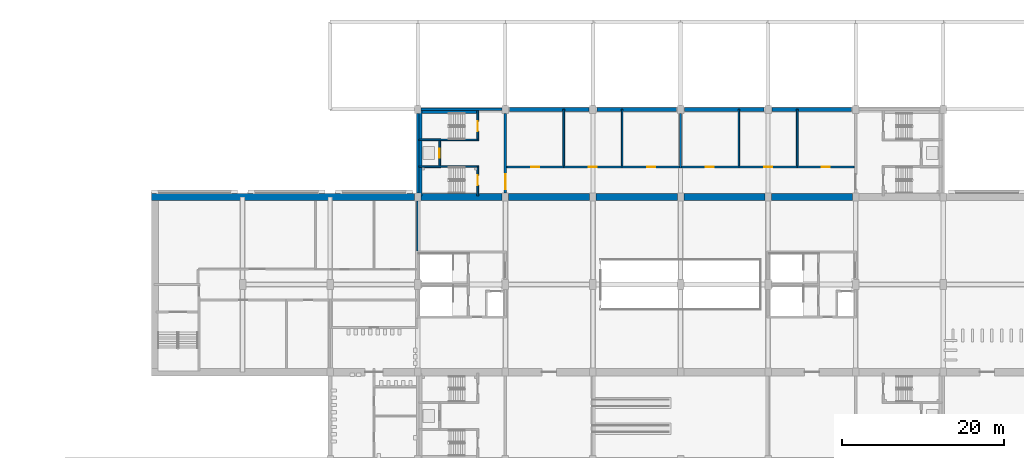
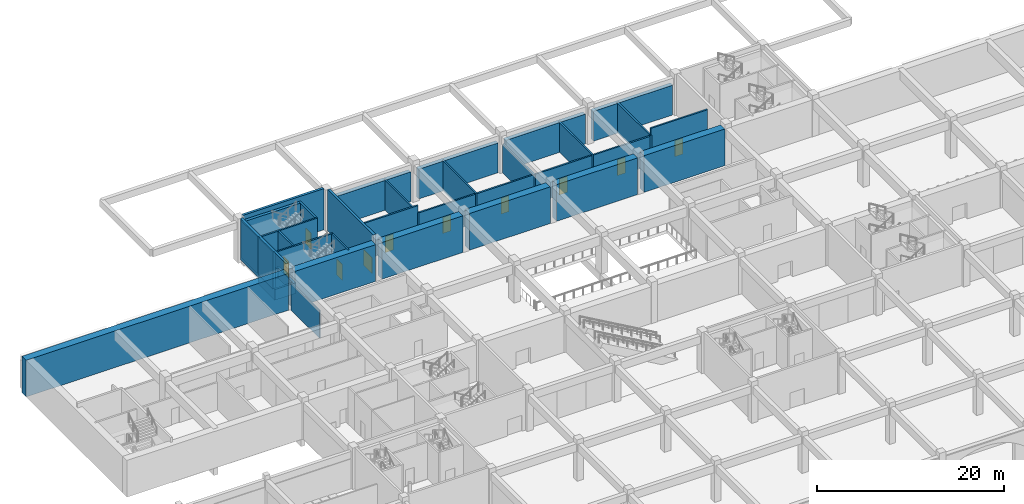
# One storey, part 31 of 101: 35 walls, 10 doors, 10 openings.
"""IFC4 building model written with IfcOpenShell, lengths in metres."""

from ifc_helpers import new_model, si_unit, direction, frame, frame_2d, origin, place, context, subcontext, project, spatial, polyline, rectangle, outline, extrude, material, layer, layer_set, type_object, element, fill, save


model = new_model("IFC4")

# Units and contexts
model_context = context("Model", 3, precision=1e-05, world=origin(), true_north=direction((0.0, 1.0)))
body_context = subcontext(model_context, "Body", "Model", "MODEL_VIEW")
ifc_project = project(units=[si_unit("LENGTHUNIT", "METRE"), si_unit("AREAUNIT", "SQUARE_METRE"), si_unit("VOLUMEUNIT", "CUBIC_METRE"), si_unit("PLANEANGLEUNIT", "RADIAN"), si_unit("MASSUNIT", "GRAM", prefix="KILO")], contexts=[model_context])

# Site, building, storey
site_placement = place(None, origin())
site = spatial("IfcSite", under=ifc_project, at=site_placement, CompositionType="ELEMENT")
building_placement = place(site_placement, origin())
building = spatial("IfcBuilding", under=site, at=building_placement, Name="Magnolia Steps Interchange", CompositionType="ELEMENT")
storey_placement = place(building_placement, frame((0.0, 0.0, -5.39990234375)))
storey = spatial("IfcBuildingStorey", under=building, at=storey_placement, Name="B1", CompositionType="ELEMENT", Elevation=-5.39990234375)

# Walls
ifc_material_1 = material(Name="Concrete C40", Category="concrete")
ifc_layer_1 = layer(ifc_material_1, 0.5)
ifc_layer_set_1 = layer_set([ifc_layer_1], Name="Concrete C40 plinth retaining wall 500")
wall_type_1 = type_object("IfcWallType", Name="Concrete C40 plinth retaining wall 500", PredefinedType="SOLIDWALL", material=ifc_layer_set_1)
for number, where, z_axis, x_axis, name in (
    (1, (64.5, 85.60009765625, 0.0), (0.0, 0.0, 1.0), (1.0, 0.0, 0.0), "Plant gallery north retaining wall"),
    (2, (75.300048828125, 85.60009765625, 0.0), (0.0, 0.0, 1.0), (1.0, 0.0, 0.0), "Plant gallery north retaining wall"),
):
    element("IfcWall", number, at=place(storey_placement, frame(where, z_axis=z_axis, x_axis=x_axis)), inside=storey, type_object=wall_type_1, Name=name, PredefinedType="SOLIDWALL", context=body_context, shape_type="SweptSolid", body=[
        extrude(rectangle(XDim=9.800048828125, YDim=0.5, at=frame_2d((4.89990234375, 0.0))), origin(), (0.0, 0.0, 1.0), 3.89990234375),
    ])
wall_1_placement = place(storey_placement, frame((86.10009765625, 85.60009765625, 0.0), z_axis=(0.0, 0.0, 1.0), x_axis=(1.0, 0.0, 0.0)))
element("IfcWall", 3, at=wall_1_placement, inside=storey, type_object=wall_type_1, Name="Plant gallery north retaining wall", PredefinedType="SOLIDWALL", context=body_context, shape_type="SweptSolid", body=[
    extrude(rectangle(XDim=9.7998046875, YDim=0.5, at=frame_2d((4.89990234375, 0.0))), origin(), (0.0, 0.0, 1.0), 3.89990234375),
])
wall_2_placement = place(storey_placement, frame((96.89990234375, 85.60009765625, 0.0), z_axis=(0.0, 0.0, 1.0), x_axis=(1.0, 0.0, 0.0)))
element("IfcWall", 4, at=wall_2_placement, inside=storey, type_object=wall_type_1, Name="Plant gallery north retaining wall", PredefinedType="SOLIDWALL", context=body_context, shape_type="SweptSolid", body=[
    extrude(rectangle(XDim=9.800048828125, YDim=0.5, at=frame_2d((4.89990234375, 0.0))), origin(), (0.0, 0.0, 1.0), 3.89990234375),
])

# Wall, opening, door
ifc_material_2 = material(Name="Concrete C35", Category="concrete")
ifc_layer_2 = layer(ifc_material_2, 0.199951171875)
ifc_layer_set_2 = layer_set([ifc_layer_2], Name="Core enclosure wall 200")
wall_type_2 = type_object("IfcWallType", Name="Core enclosure wall 200", PredefinedType="SOLIDWALL", material=ifc_layer_set_2)
wall_3_placement = place(storey_placement, frame((60.60009765625, 74.949951171875, 0.0), z_axis=(0.0, 0.0, 1.0), x_axis=(0.0, 1.0, 0.0)))
wall_3 = element("IfcWall", 5, at=wall_3_placement, inside=storey, type_object=wall_type_2, Name="B1 HC1 enclosure wall", PredefinedType="SOLIDWALL", context=body_context, shape_type="SweptSolid", body=[
    extrude(rectangle(XDim=3.5, YDim=0.199951171875, at=frame_2d((1.75, 0.0))), origin(), (0.0, 0.0, 1.0), 4.7998046875),
])
opening_1_placement = place(wall_3_placement, frame((1.324951171875, 0.0, 0.0)))
opening_1 = element("IfcOpeningElement", 6, at=opening_1_placement, cuts=wall_3, Name="Opening D-HC1-B1-1", PredefinedType="OPENING", context=body_context, shape_type="SweptSolid", body=[
    extrude(rectangle(XDim=1.199951171875, YDim=2.10009765625, at=frame_2d((0.60009765625, 1.050048828125))), frame((0.0, 0.10986328125, 0.0), z_axis=(0.0, -1.0, 0.0), x_axis=(1.0, 0.0, 0.0)), (0.0, 0.0, 1.0), 0.219970703125),
])
ifc_material_3 = material(Name="Painted steel", Category="steel")
door_type_1 = type_object("IfcDoorType", Name="Stair fire door 1200x2100", OperationType="NOTDEFINED", PredefinedType="DOOR", material=ifc_material_3)
door_1_placement = place(opening_1_placement, frame((1.199951171875, 0.0, 0.0), z_axis=(0.0, 0.0, 1.0), x_axis=(-1.0, 0.0, 0.0)))
door_1 = element("IfcDoor", 7, at=door_1_placement, inside=storey, type_object=door_type_1, Name="Stair door ST1 B1", OperationType="SINGLE_SWING_LEFT", OverallHeight=2.10009765625, OverallWidth=1.199951171875, PredefinedType="DOOR", context=body_context, shape_type="SweptSolid", body=[
    extrude(rectangle(XDim=1.199951171875, YDim=2.10009765625, at=frame_2d((0.60009765625, 1.050048828125))), frame((0.0, 0.02490234375, 0.0), z_axis=(0.0, -1.0, 0.0), x_axis=(1.0, 0.0, 0.0)), (0.0, 0.0, 1.0), 0.050048828125),
])
fill(opening_1, door_1)

# Wall
wall_4_placement = place(storey_placement, frame((60.699951171875, 78.550048828125, 0.0), z_axis=(0.0, 0.0, 1.0), x_axis=(-1.0, 0.0, 0.0)))
element("IfcWall", 8, at=wall_4_placement, inside=storey, type_object=wall_type_2, Name="B1 HC1 enclosure wall", PredefinedType="SOLIDWALL", context=body_context, shape_type="SweptSolid", body=[
    extrude(rectangle(XDim=7.349853515625, YDim=0.199951171875, at=frame_2d((3.6748046875, 0.0))), origin(), (0.0, 0.0, 1.0), 4.7998046875),
])

# Wall, opening, door
wall_5_placement = place(storey_placement, frame((55.89990234375, 78.64990234375, 0.0), z_axis=(0.0, 0.0, 1.0), x_axis=(0.0, 1.0, 0.0)))
wall_5 = element("IfcWall", 9, at=wall_5_placement, inside=storey, type_object=wall_type_2, Name="B1 HC1 enclosure wall", PredefinedType="SOLIDWALL", context=body_context, shape_type="SweptSolid", body=[
    extrude(rectangle(XDim=3.10009765625, YDim=0.199951171875, at=frame_2d((1.550048828125, 0.0))), origin(), (0.0, 0.0, 1.0), 4.7998046875),
])
opening_2_placement = place(wall_5_placement, frame((1.0, 0.0, 0.0)))
opening_2 = element("IfcOpeningElement", 10, at=opening_2_placement, cuts=wall_5, Name="Opening LD", PredefinedType="OPENING", context=body_context, shape_type="SweptSolid", body=[
    extrude(rectangle(XDim=1.10009765625, YDim=2.10009765625, at=frame_2d((0.550048828125, 1.050048828125))), frame((0.0, 0.10986328125, 0.0), z_axis=(0.0, -1.0, 0.0), x_axis=(1.0, 0.0, 0.0)), (0.0, 0.0, 1.0), 0.219970703125),
])
ifc_material_4 = material(Name="Stainless steel grade 304", Category="steel")
door_type_2 = type_object("IfcDoorType", Name="Lift landing door 1100x2100", OperationType="DOUBLE_DOOR_SLIDING", PredefinedType="DOOR", material=ifc_material_4)
door_2_placement = place(opening_2_placement, frame((1.10009765625, 0.0, 0.0), z_axis=(0.0, 0.0, 1.0), x_axis=(-1.0, 0.0, 0.0)))
door_2 = element("IfcDoor", 11, at=door_2_placement, inside=storey, type_object=door_type_2, Name="Lift landing door LF1 B1", OperationType="DOUBLE_DOOR_SLIDING", OverallHeight=2.10009765625, OverallWidth=1.10009765625, PredefinedType="DOOR", context=body_context, shape_type="SweptSolid", body=[
    extrude(rectangle(XDim=1.10009765625, YDim=2.10009765625, at=frame_2d((0.550048828125, 1.050048828125))), frame((0.0, 0.02490234375, 0.0), z_axis=(0.0, -1.0, 0.0), x_axis=(1.0, 0.0, 0.0)), (0.0, 0.0, 1.0), 0.050048828125),
])
fill(opening_2, door_2)

# Wall
wall_6_placement = place(storey_placement, frame((60.699951171875, 81.85009765625, 0.0), z_axis=(0.0, 0.0, 1.0), x_axis=(-1.0, 0.0, 0.0)))
element("IfcWall", 12, at=wall_6_placement, inside=storey, type_object=wall_type_2, Name="B1 HC1 enclosure wall", PredefinedType="SOLIDWALL", context=body_context, shape_type="SweptSolid", body=[
    extrude(rectangle(XDim=7.349853515625, YDim=0.199951171875, at=frame_2d((3.6748046875, 0.0))), origin(), (0.0, 0.0, 1.0), 4.7998046875),
])

# Wall, opening, door
wall_7_placement = place(storey_placement, frame((60.60009765625, 81.949951171875, 0.0), z_axis=(0.0, 0.0, 1.0), x_axis=(0.0, 1.0, 0.0)))
wall_7 = element("IfcWall", 13, at=wall_7_placement, inside=storey, type_object=wall_type_2, Name="B1 HC1 enclosure wall", PredefinedType="SOLIDWALL", context=body_context, shape_type="SweptSolid", body=[
    extrude(rectangle(XDim=3.5, YDim=0.199951171875, at=frame_2d((1.75, 0.0))), origin(), (0.0, 0.0, 1.0), 4.7998046875),
])
opening_3_placement = place(wall_7_placement, frame((0.97509765625, 0.0, 0.0)))
opening_3 = element("IfcOpeningElement", 14, at=opening_3_placement, cuts=wall_7, Name="Opening D-HC1-B1-2", PredefinedType="OPENING", context=body_context, shape_type="SweptSolid", body=[
    extrude(rectangle(XDim=1.199951171875, YDim=2.10009765625, at=frame_2d((0.60009765625, 1.050048828125))), frame((0.0, 0.10986328125, 0.0), z_axis=(0.0, -1.0, 0.0), x_axis=(1.0, 0.0, 0.0)), (0.0, 0.0, 1.0), 0.219970703125),
])
door_3_placement = place(opening_3_placement, frame((1.199951171875, 0.0, 0.0), z_axis=(0.0, 0.0, 1.0), x_axis=(-1.0, 0.0, 0.0)))
door_3 = element("IfcDoor", 15, at=door_3_placement, inside=storey, type_object=door_type_1, Name="Stair door ST2 B1", OperationType="SINGLE_SWING_RIGHT", OverallHeight=2.10009765625, OverallWidth=1.199951171875, PredefinedType="DOOR", context=body_context, shape_type="SweptSolid", body=[
    extrude(rectangle(XDim=1.199951171875, YDim=2.10009765625, at=frame_2d((0.60009765625, 1.050048828125))), frame((0.0, 0.02490234375, 0.0), z_axis=(0.0, -1.0, 0.0), x_axis=(1.0, 0.0, 0.0)), (0.0, 0.0, 1.0), 0.050048828125),
])
fill(opening_3, door_3)

# Walls
ifc_material_5 = material(Name="Concrete C35", Category="concrete")
ifc_layer_3 = layer(ifc_material_5, 0.35009765625)
ifc_layer_set_3 = layer_set([ifc_layer_3], Name="Core lining wall 350")
wall_type_3 = type_object("IfcWallType", Name="Core lining wall 350", PredefinedType="SOLIDWALL", material=ifc_layer_set_3)
wall_8_placement = place(storey_placement, frame((53.52490234375, 74.949951171875, 0.0), z_axis=(0.0, 0.0, 1.0), x_axis=(0.0, 1.0, 0.0)))
element("IfcWall", 16, at=wall_8_placement, inside=storey, type_object=wall_type_3, Name="B1 HC1 stair lining wall", PredefinedType="SOLIDWALL", context=body_context, shape_type="SweptSolid", body=[
    extrude(rectangle(XDim=3.5, YDim=0.35009765625, at=frame_2d((1.75, 0.0))), origin(), (0.0, 0.0, 1.0), 4.7998046875),
])
wall_9_placement = place(storey_placement, frame((60.699951171875, 85.27490234375, 0.0), z_axis=(0.0, 0.0, 1.0), x_axis=(-1.0, 0.0, 0.0)))
element("IfcWall", 17, at=wall_9_placement, inside=storey, type_object=wall_type_3, Name="B1 HC1 stair lining wall", PredefinedType="SOLIDWALL", context=body_context, shape_type="SweptSolid", body=[
    extrude(rectangle(XDim=7.349853515625, YDim=0.35009765625, at=frame_2d((3.6748046875, 0.0))), origin(), (0.0, 0.0, 1.0), 4.7998046875),
])
wall_10_placement = place(storey_placement, frame((53.52490234375, 81.949951171875, 0.0), z_axis=(0.0, 0.0, 1.0), x_axis=(0.0, 1.0, 0.0)))
element("IfcWall", 18, at=wall_10_placement, inside=storey, type_object=wall_type_3, Name="B1 HC1 stair lining wall", PredefinedType="SOLIDWALL", context=body_context, shape_type="SweptSolid", body=[
    extrude(rectangle(XDim=3.5, YDim=0.35009765625, at=frame_2d((1.75, 0.0))), origin(), (0.0, 0.0, 1.0), 4.7998046875),
])
wall_11_placement = place(storey_placement, frame((53.52490234375, 78.64990234375, 0.0), z_axis=(0.0, 0.0, 1.0), x_axis=(0.0, 1.0, 0.0)))
element("IfcWall", 19, at=wall_11_placement, inside=storey, type_object=wall_type_3, Name="B1 HC1 stair lining wall", PredefinedType="SOLIDWALL", context=body_context, shape_type="SweptSolid", body=[
    extrude(rectangle(XDim=3.10009765625, YDim=0.35009765625, at=frame_2d((1.550048828125, 0.0))), origin(), (0.0, 0.0, 1.0), 4.7998046875),
])

# Wall, opening, door
ifc_material_6 = material(Name="Concrete C40", Category="concrete")
ifc_layer_4 = layer(ifc_material_6, 0.300048828125)
ifc_layer_set_4 = layer_set([ifc_layer_4], Name="Core wall 300")
wall_type_4 = type_object("IfcWallType", Name="Core wall 300", PredefinedType="SOLIDWALL", material=ifc_layer_set_4)
wall_12_placement = place(storey_placement, frame((64.0, 75.300048828125, 0.0), z_axis=(0.0, 0.0, 1.0), x_axis=(0.0, 1.0, 0.0)))
wall_12 = element("IfcWall", 20, at=wall_12_placement, inside=storey, type_object=wall_type_4, Name="Core wall HC1", PredefinedType="SOLIDWALL", context=body_context, shape_type="SweptSolid", body=[
    extrude(rectangle(XDim=9.800048828125, YDim=0.300048828125, at=frame_2d((4.89990234375, 0.0))), origin(), (0.0, 0.0, 1.0), 5.39990234375),
])
opening_4_placement = place(wall_12_placement, frame((0.47509765625, 0.0, 0.0)))
opening_4 = element("IfcOpeningElement", 21, at=opening_4_placement, cuts=wall_12, Name="Opening D-HC1-B1-3", PredefinedType="OPENING", context=body_context, shape_type="SweptSolid", body=[
    extrude(rectangle(XDim=1.800048828125, YDim=2.10009765625, at=frame_2d((0.89990234375, 1.050048828125))), frame((0.0, 0.159912109375, 0.0), z_axis=(0.0, -1.0, 0.0), x_axis=(1.0, 0.0, 0.0)), (0.0, 0.0, 1.0), 0.320068359375),
])
ifc_material_7 = material(Name="Timber and glass", Category="wood")
door_type_3 = type_object("IfcDoorType", Name="Core entrance door pair 1800x2100", OperationType="DOUBLE_DOOR_DOUBLE_SWING", PredefinedType="DOOR", material=ifc_material_7)
door_4_placement = place(opening_4_placement, frame((1.800048828125, 0.0, 0.0), z_axis=(0.0, 0.0, 1.0), x_axis=(-1.0, 0.0, 0.0)))
door_4 = element("IfcDoor", 22, at=door_4_placement, inside=storey, type_object=door_type_3, Name="Core entrance door HC1 B1", OperationType="DOUBLE_DOOR_DOUBLE_SWING", OverallHeight=2.10009765625, OverallWidth=1.800048828125, PredefinedType="DOOR", context=body_context, shape_type="SweptSolid", body=[
    extrude(rectangle(XDim=1.800048828125, YDim=2.10009765625, at=frame_2d((0.89990234375, 1.050048828125))), frame((0.0, 0.02490234375, 0.0), z_axis=(0.0, -1.0, 0.0), x_axis=(1.0, 0.0, 0.0)), (0.0, 0.0, 1.0), 0.050048828125),
])
fill(opening_4, door_4)

# Walls
wall_13_placement = place(storey_placement, frame((63.60009765625, 85.60009765625, 0.0), z_axis=(0.0, 0.0, 1.0), x_axis=(-1.0, 0.0, 0.0)))
element("IfcWall", 23, at=wall_13_placement, inside=storey, type_object=wall_type_4, Name="Core wall HC1", PredefinedType="SOLIDWALL", context=body_context, shape_type="SweptSolid", body=[
    extrude(rectangle(XDim=10.0, YDim=0.300048828125, at=frame_2d((5.0, 0.0))), origin(), (0.0, 0.0, 1.0), 5.39990234375),
])
wall_14_placement = place(storey_placement, frame((53.199951171875, 85.10009765625, 0.0), z_axis=(0.0, 0.0, 1.0), x_axis=(0.0, -1.0, 0.0)))
element("IfcWall", 24, at=wall_14_placement, inside=storey, type_object=wall_type_4, Name="Core wall HC1", PredefinedType="SOLIDWALL", context=body_context, shape_type="SweptSolid", body=[
    extrude(rectangle(XDim=9.800048828125, YDim=0.300048828125, at=frame_2d((4.89990234375, 0.0))), origin(), (0.0, 0.0, 1.0), 5.39990234375),
])
ifc_material_8 = material(Name="Concrete C40", Category="concrete")
ifc_layer_5 = layer(ifc_material_8, 0.89990234375)
ifc_layer_set_5 = layer_set([ifc_layer_5], Name="Diaphragm wall 900")
wall_type_5 = type_object("IfcWallType", Name="Diaphragm wall 900", PredefinedType="SOLIDWALL", material=ifc_layer_set_5)
for number, where, z_axis, x_axis, name in (
    (25, (106.800048828125, 74.800048828125, 0.0), (0.0, 0.0, 1.0), (-1.0, 0.0, 0.0), "Metro box wall N"),
    (26, (96.0, 74.800048828125, 0.0), (0.0, 0.0, 1.0), (-1.0, 0.0, 0.0), "Metro box wall N"),
    (27, (85.199951171875, 74.800048828125, 0.0), (0.0, 0.0, 1.0), (-1.0, 0.0, 0.0), "Metro box wall N"),
    (28, (74.39990234375, 74.800048828125, 0.0), (0.0, 0.0, 1.0), (-1.0, 0.0, 0.0), "Metro box wall N"),
    (29, (63.60009765625, 74.800048828125, 0.0), (0.0, 0.0, 1.0), (-1.0, 0.0, 0.0), "Metro box wall N"),
):
    element("IfcWall", number, at=place(storey_placement, frame(where, z_axis=z_axis, x_axis=x_axis)), inside=storey, type_object=wall_type_5, Name=name, PredefinedType="SOLIDWALL", context=body_context, shape_type="SweptSolid", body=[
        extrude(rectangle(XDim=10.0, YDim=0.89990234375, at=frame_2d((5.0, 0.0))), origin(), (0.0, 0.0, 1.0), 4.7998046875),
    ])
wall_15_placement = place(storey_placement, frame((52.800048828125, 74.800048828125, 0.0), z_axis=(0.0, 0.0, 1.0), x_axis=(-1.0, 0.0, 0.0)))
element("IfcWall", 30, at=wall_15_placement, inside=storey, type_object=wall_type_5, Name="Metro box wall N", PredefinedType="SOLIDWALL", context=body_context, shape_type="SweptSolid", body=[
    extrude(rectangle(XDim=32.449951171875, YDim=0.89990234375, at=frame_2d((16.22509765625, 0.0))), origin(), (0.0, 0.0, 1.0), 4.7998046875),
])

# Wall, opening, door
ifc_material_9 = material(Name="Fair-faced blockwork", Category="masonry")
ifc_layer_6 = layer(ifc_material_9, 0.199951171875)
ifc_layer_set_6 = layer_set([ifc_layer_6], Name="Fire partition wall 200")
wall_type_6 = type_object("IfcWallType", Name="Fire partition wall 200", PredefinedType="PARTITIONING", material=ifc_layer_set_6)
wall_16_placement = place(storey_placement, frame((85.60009765625, 78.5, 0.0), z_axis=(0.0, 0.0, 1.0), x_axis=(1.0, 0.0, 0.0)))
wall_16 = element("IfcWall", 31, at=wall_16_placement, inside=storey, type_object=wall_type_6, Name="B1 partition 46", PredefinedType="PARTITIONING", context=body_context, shape_type="SweptSolid", body=[
    extrude(rectangle(XDim=7.199951171875, YDim=0.199951171875, at=frame_2d((3.60009765625, 0.0))), origin(), (0.0, 0.0, 1.0), 3.7998046875),
])
opening_5_placement = place(wall_16_placement, frame((3.10009765625, 0.0, 0.0)))
opening_5 = element("IfcOpeningElement", 32, at=opening_5_placement, cuts=wall_16, Name="Opening D-B1-23", PredefinedType="OPENING", context=body_context, shape_type="SweptSolid", body=[
    extrude(rectangle(XDim=1.0, YDim=2.10009765625, at=frame_2d((0.5, 1.050048828125))), frame((0.0, 0.10986328125, 0.0), z_axis=(0.0, -1.0, 0.0), x_axis=(1.0, 0.0, 0.0)), (0.0, 0.0, 1.0), 0.219970703125),
])
ifc_material_10 = material(Name="Painted steel", Category="steel")
door_type_4 = type_object("IfcDoorType", Name="Plant room door 1000x2100", OperationType="NOTDEFINED", PredefinedType="DOOR", material=ifc_material_10)
door_5_placement = place(opening_5_placement, origin())
door_5 = element("IfcDoor", 33, at=door_5_placement, inside=storey, type_object=door_type_4, Name="Fire Pump Room door", OperationType="SINGLE_SWING_LEFT", OverallHeight=2.10009765625, OverallWidth=1.0, PredefinedType="DOOR", context=body_context, shape_type="SweptSolid", body=[
    extrude(rectangle(XDim=1.0, YDim=2.10009765625, at=frame_2d((0.5, 1.050048828125))), frame((0.0, 0.02490234375, 0.0), z_axis=(0.0, -1.0, 0.0), x_axis=(1.0, 0.0, 0.0)), (0.0, 0.0, 1.0), 0.050048828125),
])
fill(opening_5, door_5)

wall_17_placement = place(storey_placement, frame((92.800048828125, 78.5, 0.0), z_axis=(0.0, 0.0, 1.0), x_axis=(1.0, 0.0, 0.0)))
wall_17 = element("IfcWall", 34, at=wall_17_placement, inside=storey, type_object=wall_type_6, Name="B1 partition 47", PredefinedType="PARTITIONING", context=body_context, shape_type="SweptSolid", body=[
    extrude(rectangle(XDim=7.199951171875, YDim=0.199951171875, at=frame_2d((3.60009765625, 0.0))), origin(), (0.0, 0.0, 1.0), 3.7998046875),
])
opening_6_placement = place(wall_17_placement, frame((3.10009765625, 0.0, 0.0)))
opening_6 = element("IfcOpeningElement", 35, at=opening_6_placement, cuts=wall_17, Name="Opening D-B1-24", PredefinedType="OPENING", context=body_context, shape_type="SweptSolid", body=[
    extrude(rectangle(XDim=1.0, YDim=2.10009765625, at=frame_2d((0.5, 1.050048828125))), frame((0.0, 0.10986328125, 0.0), z_axis=(0.0, -1.0, 0.0), x_axis=(1.0, 0.0, 0.0)), (0.0, 0.0, 1.0), 0.219970703125),
])
door_6_placement = place(opening_6_placement, origin())
door_6 = element("IfcDoor", 36, at=door_6_placement, inside=storey, type_object=door_type_4, Name="Water Tank Room door", OperationType="SINGLE_SWING_RIGHT", OverallHeight=2.10009765625, OverallWidth=1.0, PredefinedType="DOOR", context=body_context, shape_type="SweptSolid", body=[
    extrude(rectangle(XDim=1.0, YDim=2.10009765625, at=frame_2d((0.5, 1.050048828125))), frame((0.0, 0.02490234375, 0.0), z_axis=(0.0, -1.0, 0.0), x_axis=(1.0, 0.0, 0.0)), (0.0, 0.0, 1.0), 0.050048828125),
])
fill(opening_6, door_6)

wall_18_placement = place(storey_placement, frame((78.39990234375, 78.5, 0.0), z_axis=(0.0, 0.0, 1.0), x_axis=(1.0, 0.0, 0.0)))
wall_18 = element("IfcWall", 37, at=wall_18_placement, inside=storey, type_object=wall_type_6, Name="B1 partition 48", PredefinedType="PARTITIONING", context=body_context, shape_type="SweptSolid", body=[
    extrude(rectangle(XDim=7.2001953125, YDim=0.199951171875, at=frame_2d((3.60009765625, 0.0))), origin(), (0.0, 0.0, 1.0), 3.7998046875),
])
opening_7_placement = place(wall_18_placement, frame((3.10009765625, 0.0, 0.0)))
opening_7 = element("IfcOpeningElement", 38, at=opening_7_placement, cuts=wall_18, Name="Opening D-B1-22", PredefinedType="OPENING", context=body_context, shape_type="SweptSolid", body=[
    extrude(rectangle(XDim=1.0, YDim=2.10009765625, at=frame_2d((0.5, 1.050048828125))), frame((0.0, 0.10986328125, 0.0), z_axis=(0.0, -1.0, 0.0), x_axis=(1.0, 0.0, 0.0)), (0.0, 0.0, 1.0), 0.219970703125),
])
door_7_placement = place(opening_7_placement, origin())
door_7 = element("IfcDoor", 39, at=door_7_placement, inside=storey, type_object=door_type_4, Name="Electrical Switch Room door", OperationType="SINGLE_SWING_LEFT", OverallHeight=2.10009765625, OverallWidth=1.0, PredefinedType="DOOR", context=body_context, shape_type="SweptSolid", body=[
    extrude(rectangle(XDim=1.0, YDim=2.10009765625, at=frame_2d((0.5, 1.050048828125))), frame((0.0, 0.02490234375, 0.0), z_axis=(0.0, -1.0, 0.0), x_axis=(1.0, 0.0, 0.0)), (0.0, 0.0, 1.0), 0.050048828125),
])
fill(opening_7, door_7)

wall_19_placement = place(storey_placement, frame((71.199951171875, 78.5, 0.0), z_axis=(0.0, 0.0, 1.0), x_axis=(1.0, 0.0, 0.0)))
wall_19 = element("IfcWall", 40, at=wall_19_placement, inside=storey, type_object=wall_type_6, Name="B1 partition 49", PredefinedType="PARTITIONING", context=body_context, shape_type="SweptSolid", body=[
    extrude(rectangle(XDim=7.199951171875, YDim=0.199951171875, at=frame_2d((3.60009765625, 0.0))), origin(), (0.0, 0.0, 1.0), 3.7998046875),
])
opening_8_placement = place(wall_19_placement, frame((3.10009765625, 0.0, 0.0)))
opening_8 = element("IfcOpeningElement", 41, at=opening_8_placement, cuts=wall_19, Name="Opening D-B1-21", PredefinedType="OPENING", context=body_context, shape_type="SweptSolid", body=[
    extrude(rectangle(XDim=1.0, YDim=2.10009765625, at=frame_2d((0.5, 1.050048828125))), frame((0.0, 0.10986328125, 0.0), z_axis=(0.0, -1.0, 0.0), x_axis=(1.0, 0.0, 0.0)), (0.0, 0.0, 1.0), 0.219970703125),
])
door_8_placement = place(opening_8_placement, origin())
door_8 = element("IfcDoor", 42, at=door_8_placement, inside=storey, type_object=door_type_4, Name="Air Handling Plant Room door", OperationType="SINGLE_SWING_RIGHT", OverallHeight=2.10009765625, OverallWidth=1.0, PredefinedType="DOOR", context=body_context, shape_type="SweptSolid", body=[
    extrude(rectangle(XDim=1.0, YDim=2.10009765625, at=frame_2d((0.5, 1.050048828125))), frame((0.0, 0.02490234375, 0.0), z_axis=(0.0, -1.0, 0.0), x_axis=(1.0, 0.0, 0.0)), (0.0, 0.0, 1.0), 0.050048828125),
])
fill(opening_8, door_8)

wall_20_placement = place(storey_placement, frame((100.0, 78.5, 0.0), z_axis=(0.0, 0.0, 1.0), x_axis=(1.0, 0.0, 0.0)))
wall_20 = element("IfcWall", 43, at=wall_20_placement, inside=storey, type_object=wall_type_6, Name="B1 partition 50", PredefinedType="PARTITIONING", context=body_context, shape_type="SweptSolid", body=[
    extrude(rectangle(XDim=7.02001953125, YDim=0.199951171875, at=frame_2d((3.510009765625, 0.0))), origin(), (0.0, 0.0, 1.0), 4.7998046875),
])
opening_9_placement = place(wall_20_placement, frame((3.010009765625, 0.0, 0.0)))
opening_9 = element("IfcOpeningElement", 44, at=opening_9_placement, cuts=wall_20, Name="Opening D-B1-25", PredefinedType="OPENING", context=body_context, shape_type="SweptSolid", body=[
    extrude(rectangle(XDim=1.0, YDim=2.10009765625, at=frame_2d((0.5, 1.050048828125))), frame((0.0, 0.10986328125, 0.0), z_axis=(0.0, -1.0, 0.0), x_axis=(1.0, 0.0, 0.0)), (0.0, 0.0, 1.0), 0.219970703125),
])
door_9_placement = place(opening_9_placement, origin())
door_9 = element("IfcDoor", 45, at=door_9_placement, inside=storey, type_object=door_type_4, Name="Generator Room door", OperationType="SINGLE_SWING_LEFT", OverallHeight=2.10009765625, OverallWidth=1.0, PredefinedType="DOOR", context=body_context, shape_type="SweptSolid", body=[
    extrude(rectangle(XDim=1.0, YDim=2.10009765625, at=frame_2d((0.5, 1.050048828125))), frame((0.0, 0.02490234375, 0.0), z_axis=(0.0, -1.0, 0.0), x_axis=(1.0, 0.0, 0.0)), (0.0, 0.0, 1.0), 0.050048828125),
])
fill(opening_9, door_9)

wall_21_placement = place(storey_placement, frame((64.179931640625, 78.5, 0.0), z_axis=(0.0, 0.0, 1.0), x_axis=(1.0, 0.0, 0.0)))
wall_21 = element("IfcWall", 46, at=wall_21_placement, inside=storey, type_object=wall_type_6, Name="B1 partition 51", PredefinedType="PARTITIONING", context=body_context, shape_type="SweptSolid", body=[
    extrude(rectangle(XDim=7.02001953125, YDim=0.199951171875, at=frame_2d((3.510009765625, 0.0))), origin(), (0.0, 0.0, 1.0), 4.7998046875),
])
opening_10_placement = place(wall_21_placement, frame((3.010009765625, 0.0, 0.0)))
opening_10 = element("IfcOpeningElement", 47, at=opening_10_placement, cuts=wall_21, Name="Opening D-B1-20", PredefinedType="OPENING", context=body_context, shape_type="SweptSolid", body=[
    extrude(rectangle(XDim=1.0, YDim=2.10009765625, at=frame_2d((0.5, 1.050048828125))), frame((0.0, 0.10986328125, 0.0), z_axis=(0.0, -1.0, 0.0), x_axis=(1.0, 0.0, 0.0)), (0.0, 0.0, 1.0), 0.219970703125),
])
door_10_placement = place(opening_10_placement, origin())
door_10 = element("IfcDoor", 48, at=door_10_placement, inside=storey, type_object=door_type_4, Name="Chiller Plant Room door", OperationType="SINGLE_SWING_LEFT", OverallHeight=2.10009765625, OverallWidth=1.0, PredefinedType="DOOR", context=body_context, shape_type="SweptSolid", body=[
    extrude(rectangle(XDim=1.0, YDim=2.10009765625, at=frame_2d((0.5, 1.050048828125))), frame((0.0, 0.02490234375, 0.0), z_axis=(0.0, -1.0, 0.0), x_axis=(1.0, 0.0, 0.0)), (0.0, 0.0, 1.0), 0.050048828125),
])
fill(opening_10, door_10)

# Walls
for number, where, z_axis, x_axis, name in (
    (49, (71.199951171875, 78.39990234375, 0.0), (0.0, 0.0, 1.0), (0.0, 1.0, 0.0), "B1 partition 52"),
    (50, (78.39990234375, 78.39990234375, 0.0), (0.0, 0.0, 1.0), (0.0, 1.0, 0.0), "B1 partition 53"),
):
    element("IfcWall", number, at=place(storey_placement, frame(where, z_axis=z_axis, x_axis=x_axis)), inside=storey, type_object=wall_type_6, Name=name, PredefinedType="PARTITIONING", context=body_context, shape_type="SweptSolid", body=[
        extrude(rectangle(XDim=7.2001953125, YDim=0.199951171875, at=frame_2d((3.60009765625, 0.0))), origin(), (0.0, 0.0, 1.0), 3.89990234375),
    ])
wall_22_placement = place(storey_placement, frame((85.60009765625, 78.39990234375, 0.0), z_axis=(0.0, 0.0, 1.0), x_axis=(0.0, 1.0, 0.0)))
element("IfcWall", 51, at=wall_22_placement, inside=storey, type_object=wall_type_6, Name="B1 partition 54", PredefinedType="PARTITIONING", context=body_context, shape_type="SweptSolid", body=[
    extrude(rectangle(XDim=6.68017578125, YDim=0.199951171875, at=frame_2d((3.340087890625, 0.0))), origin(), (0.0, 0.0, 1.0), 3.7998046875),
])
for number, where, z_axis, x_axis, name in (
    (52, (92.800048828125, 78.39990234375, 0.0), (0.0, 0.0, 1.0), (0.0, 1.0, 0.0), "B1 partition 55"),
    (53, (100.0, 78.39990234375, 0.0), (0.0, 0.0, 1.0), (0.0, 1.0, 0.0), "B1 partition 56"),
):
    element("IfcWall", number, at=place(storey_placement, frame(where, z_axis=z_axis, x_axis=x_axis)), inside=storey, type_object=wall_type_6, Name=name, PredefinedType="PARTITIONING", context=body_context, shape_type="SweptSolid", body=[
        extrude(rectangle(XDim=7.2001953125, YDim=0.199951171875, at=frame_2d((3.60009765625, 0.0))), origin(), (0.0, 0.0, 1.0), 3.89990234375),
    ])
ifc_material_11 = material(Name="Concrete C40", Category="concrete")
ifc_layer_7 = layer(ifc_material_11, 0.25)
ifc_layer_set_7 = layer_set([ifc_layer_7], Name="Lift pit wall 250")
wall_type_7 = type_object("IfcWallType", Name="Lift pit wall 250", PredefinedType="SOLIDWALL", material=ifc_layer_set_7)
wall_23_placement = place(storey_placement, frame((0.0, 0.0, -1.400146484375)))
element("IfcWall", 54, at=wall_23_placement, inside=storey, type_object=wall_type_7, Name="Lift pit wall HC1", PredefinedType="SOLIDWALL", context=body_context, shape_type="SweptSolid", body=[
    extrude(outline(polyline([(56.050048828125, 78.39990234375), (56.050048828125, 82.0), (53.449951171875, 82.0), (53.449951171875, 78.39990234375), (56.050048828125, 78.39990234375)]), holes=[polyline([(55.800048828125, 81.75), (53.699951171875, 81.75), (53.699951171875, 78.64990234375), (55.800048828125, 78.64990234375), (55.800048828125, 81.75)])]), origin(), (0.0, 0.0, 1.0), 1.400146484375),
])
ifc_material_12 = material(Name="Fair-faced blockwork", Category="masonry")
ifc_layer_8 = layer(ifc_material_12, 0.14990234375)
ifc_layer_set_8 = layer_set([ifc_layer_8], Name="Partition wall 150")
wall_type_8 = type_object("IfcWallType", Name="Partition wall 150", PredefinedType="PARTITIONING", material=ifc_layer_set_8)
wall_24_placement = place(storey_placement, frame((53.125, 68.155029296875, 0.0), z_axis=(0.0, 0.0, 1.0), x_axis=(0.0, 1.0, 0.0)))
element("IfcWall", 55, at=wall_24_placement, inside=storey, type_object=wall_type_8, Name="B1 partition 15", PredefinedType="PARTITIONING", context=body_context, shape_type="SweptSolid", body=[
    extrude(rectangle(XDim=6.125, YDim=0.14990234375, at=frame_2d((3.0625, 0.0))), origin(), (0.0, 0.0, 1.0), 3.599853515625),
])

save(model, "model.ifc")
